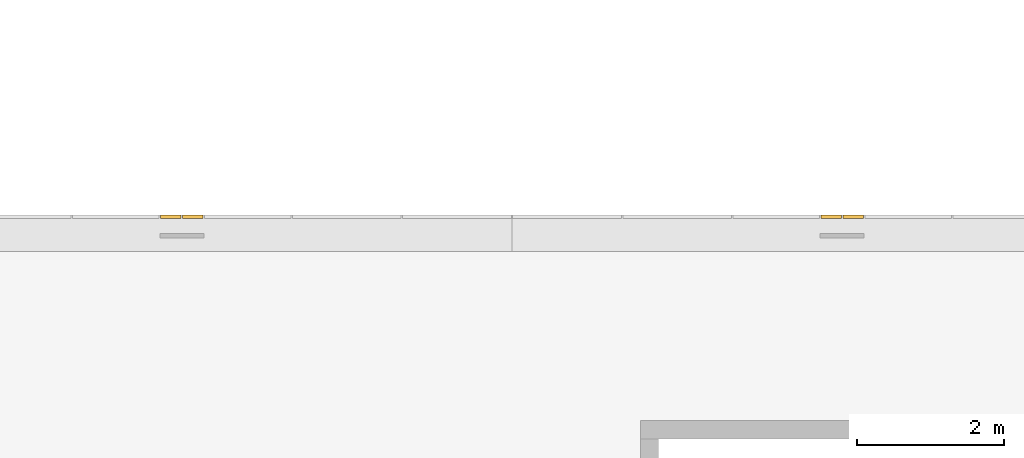
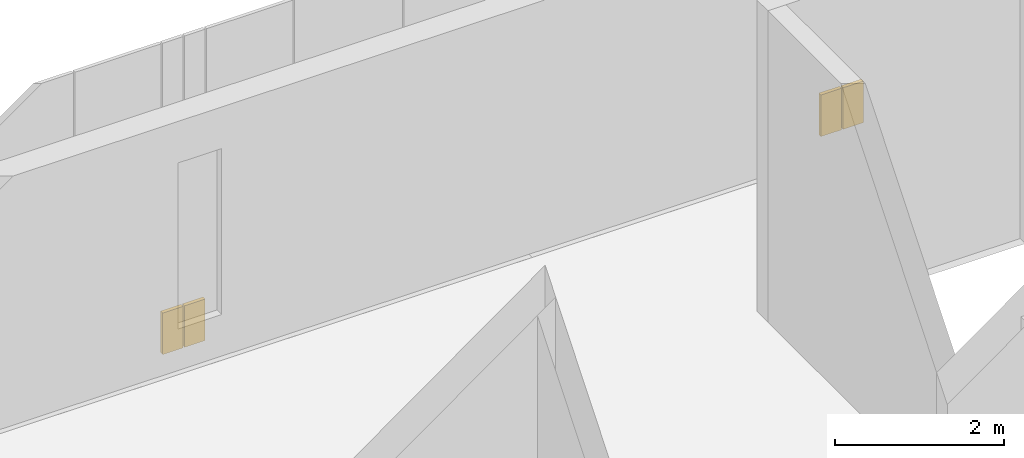
# One storey, part 87 of 88: 4 coverings.
"""IFC4 building model written with IfcOpenShell, lengths in metres."""

from ifc_helpers import new_model, si_unit, direction, frame, origin, origin_2d, place, context, subcontext, project, spatial, rectangle, extrude, material, layer, layer_set, type_object, element, save


model = new_model("IFC4")

# Units and contexts
model_context = context("Model", 3, precision=1e-05, world=origin(), true_north=direction((0.0, 1.0)))
body_context = subcontext(model_context, "Body", "Model", "MODEL_VIEW")
ifc_project = project(units=[si_unit("LENGTHUNIT", "METRE"), si_unit("AREAUNIT", "SQUARE_METRE"), si_unit("VOLUMEUNIT", "CUBIC_METRE"), si_unit("PLANEANGLEUNIT", "RADIAN"), si_unit("MASSUNIT", "GRAM", prefix="KILO")], contexts=[model_context])

# Site, building, storey
site_placement = place(None, origin())
site = spatial("IfcSite", under=ifc_project, at=site_placement, CompositionType="ELEMENT")
building_placement = place(site_placement, origin())
building = spatial("IfcBuilding", under=site, at=building_placement, Name="Guidao Yard Department Store", CompositionType="ELEMENT")
storey_placement = place(building_placement, frame((0.0, 0.0, 6.0)))
storey = spatial("IfcBuildingStorey", under=building, at=storey_placement, Name="L01", CompositionType="ELEMENT", Elevation=6.0)

# Coverings
ifc_material = material(Name="Anodised aluminium 6063-T5 cladding", Category="aluminium")
ifc_layer = layer(ifc_material, 0.050048828125)
ifc_layer_set = layer_set([ifc_layer], Name="Facade cladding CP1 anodised aluminium panel 6063")
covering_type = type_object("IfcCoveringType", Name="Facade cladding CP1 anodised aluminium panel 6063", PredefinedType="CLADDING", material=ifc_layer_set)
for number, where, z_axis, x_axis, name in (
    (1, (148.35009765625, 27.22509765625, 0.0), (0.0, 0.0, 1.0), (1.0, 0.0, 0.0), "Core face cladding"),
    (2, (148.64990234375, 27.22509765625, 0.0), (0.0, 0.0, 1.0), (1.0, 0.0, 0.0), "Core face cladding"),
    (3, (157.35009765625, 27.22509765625, 0.0), (0.0, 0.0, 1.0), (1.0, 0.0, 0.0), "Core face cladding"),
    (4, (157.64990234375, 27.22509765625, 0.0), (0.0, 0.0, 1.0), (1.0, 0.0, 0.0), "Core face cladding"),
):
    element("IfcCovering", number, at=place(storey_placement, frame(where, z_axis=z_axis, x_axis=x_axis)), inside=storey, type_object=covering_type, Name=name, PredefinedType="CLADDING", context=body_context, shape_type="SweptSolid", body=[
        extrude(rectangle(XDim=0.280029296875, YDim=0.050048828125, at=origin_2d()), origin(), (0.0, 0.0, 1.0), 0.60009765625),
    ])

save(model, "model.ifc")
